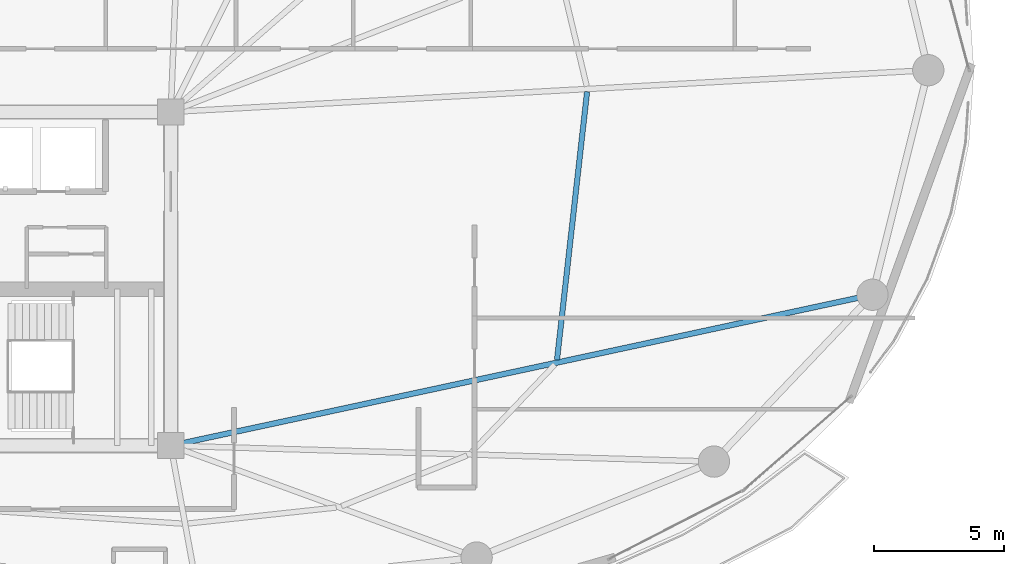
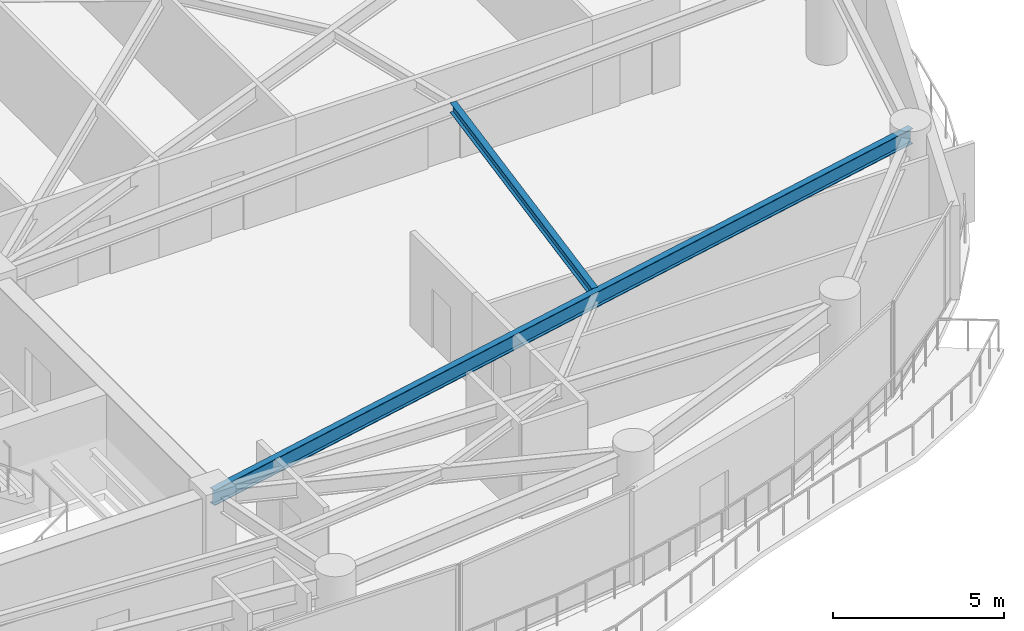
# One storey, part 12 of 28: 2 beams.
"""IFC4 building model written with IfcOpenShell, lengths in metres."""

from ifc_helpers import new_model, si_unit, direction, frame, origin, origin_2d, place, context, subcontext, project, spatial, i_section, extrude, material, material_profile, profile_set, type_object, element, save


model = new_model("IFC4")

# Units and contexts
model_context = context("Model", 3, precision=1e-05, world=origin(), true_north=direction((0.0, 1.0)))
body_context = subcontext(model_context, "Body", "Model", "MODEL_VIEW")
ifc_project = project(units=[si_unit("LENGTHUNIT", "METRE"), si_unit("AREAUNIT", "SQUARE_METRE"), si_unit("VOLUMEUNIT", "CUBIC_METRE"), si_unit("PLANEANGLEUNIT", "RADIAN"), si_unit("MASSUNIT", "GRAM", prefix="KILO")], contexts=[model_context])

# Site, building, storey
site_placement = place(None, origin())
site = spatial("IfcSite", under=ifc_project, at=site_placement, CompositionType="ELEMENT")
building_placement = place(site_placement, origin())
building = spatial("IfcBuilding", under=site, at=building_placement, Name="Kazevale Care Tower and Concert Hall", CompositionType="ELEMENT")
storey_placement = place(building_placement, frame((0.0, 0.0, 109.800048828125)))
storey = spatial("IfcBuildingStorey", under=building, at=storey_placement, Name="L28", CompositionType="ELEMENT", Elevation=109.800048828125)

# Beams
ifc_material = material(Name="Steel ASTM A572 Gr 50", Category="steel")
ifc_material_profile_1 = material_profile(ifc_material, i_section(OverallWidth=0.2119140625, OverallDepth=0.5439453125, WebThickness=0.01318359375, FlangeThickness=0.021240234375, at=origin_2d()), Name="W530x123")
ifc_profile_set_1 = profile_set([ifc_material_profile_1], Name="Steel ASTM A572 Gr 50")
beam_type_1 = type_object("IfcBeamType", Name="Radial Floor Girder W530x123", PredefinedType="BEAM", material=ifc_profile_set_1)
beam_1_placement = place(storey_placement, frame((44.0, 23.60009765625, 3.087890625), z_axis=(0.97762801725, 0.210341293823, 0.0), x_axis=(-0.210341293823, 0.97762801725, 0.0)))
element("IfcBeam", 1, at=beam_1_placement, inside=storey, type_object=beam_type_1, Name="beam:L28:rad:16", PredefinedType="BEAM", context=body_context, shape_type="SweptSolid", body=[
    extrude(i_section(OverallWidth=0.2119140625, OverallDepth=0.5439453125, WebThickness=0.01318359375, FlangeThickness=0.021240234375, at=origin_2d()), origin(), (0.0, 0.0, 1.0), 27.525634765625),
])
ifc_material_profile_2 = material_profile(ifc_material, i_section(OverallWidth=0.205078125, OverallDepth=0.35400390625, WebThickness=0.009521484375, FlangeThickness=0.016845703125, at=origin_2d()), Name="W360x79")
ifc_profile_set_2 = profile_set([ifc_material_profile_2], Name="Steel ASTM A572 Gr 50")
beam_type_2 = type_object("IfcBeamType", Name="Secondary Floor Joist W360x79", PredefinedType="JOIST", material=ifc_profile_set_2)
beam_2_placement = place(storey_placement, frame((58.81201171875, 26.888916015625, 3.182861328125), z_axis=(0.111485011105, 0.993766115491, 0.0), x_axis=(-0.993766115491, 0.111485011105, 0.0)))
element("IfcBeam", 2, at=beam_2_placement, inside=storey, type_object=beam_type_2, Name="beam:L28:joist:16", PredefinedType="JOIST", context=body_context, shape_type="SweptSolid", body=[
    extrude(i_section(OverallWidth=0.205078125, OverallDepth=0.35400390625, WebThickness=0.009521484375, FlangeThickness=0.016845703125, at=origin_2d()), origin(), (0.0, 0.0, 1.0), 10.3515625),
])

save(model, "model.ifc")
